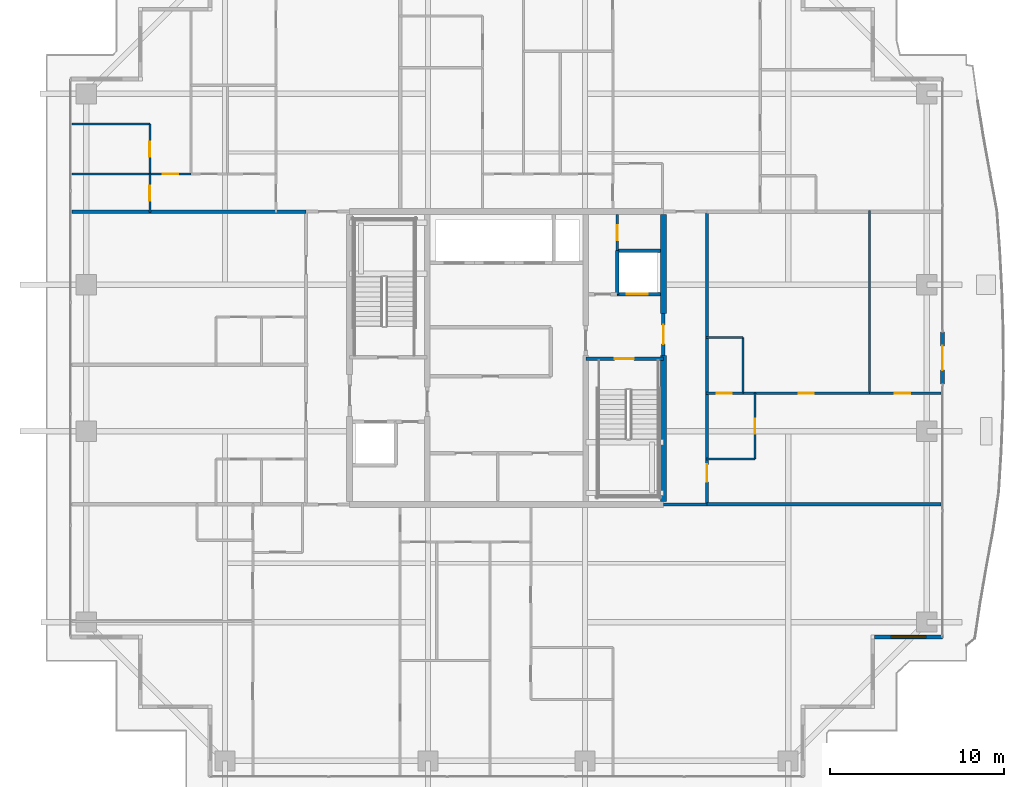
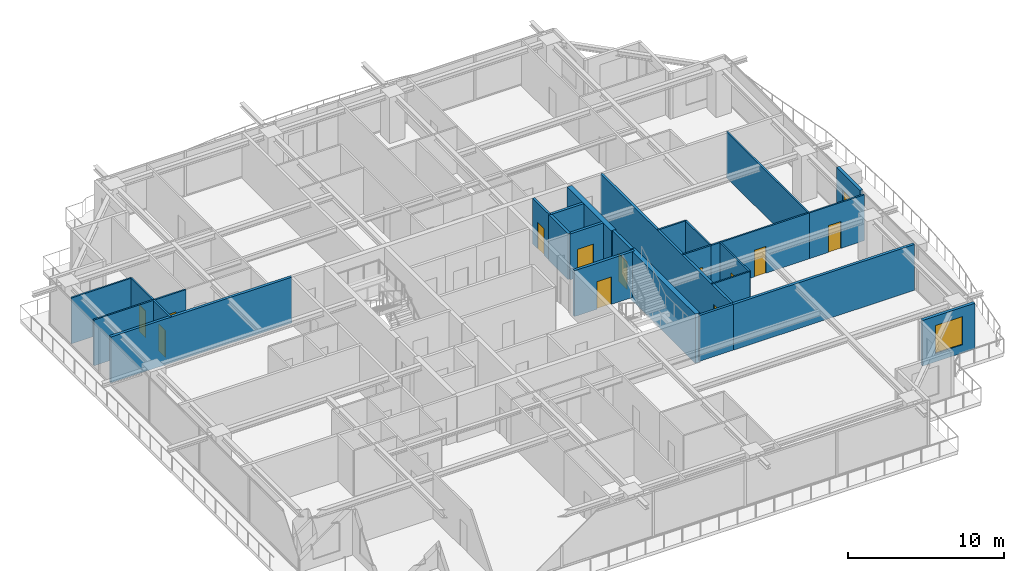
# One storey, part 28 of 37: 27 walls, 13 doors, 1 window, 14 openings.
"""IFC4 building model written with IfcOpenShell, lengths in metres."""

from ifc_helpers import new_model, si_unit, direction, frame, frame_2d, origin, place, context, subcontext, project, spatial, rectangle, extrude, source, transform, mapped, material, layer, layer_set, type_object, element, fill, save


model = new_model("IFC4")

# Units and contexts
model_context = context("Model", 3, precision=1e-05, world=origin(), true_north=direction((0.0, 1.0)))
body_context = subcontext(model_context, "Body", "Model", "MODEL_VIEW")
ifc_project = project(units=[si_unit("LENGTHUNIT", "METRE"), si_unit("AREAUNIT", "SQUARE_METRE"), si_unit("VOLUMEUNIT", "CUBIC_METRE"), si_unit("PLANEANGLEUNIT", "RADIAN"), si_unit("MASSUNIT", "GRAM", prefix="KILO")], contexts=[model_context])

# Site, building, storey
site_placement = place(None, origin())
site = spatial("IfcSite", under=ifc_project, at=site_placement, CompositionType="ELEMENT")
building_placement = place(site_placement, origin())
building = spatial("IfcBuilding", under=site, at=building_placement, Name="Serunith Strait Residences", CompositionType="ELEMENT")
storey_placement = place(building_placement, frame((0.0, 0.0, 248.949951171875)))
storey = spatial("IfcBuildingStorey", under=building, at=storey_placement, Name="L62", CompositionType="ELEMENT", Elevation=248.949951171875)

# Wall, opening, window
ifc_material_1 = material(Name="Pale-Champagne Aluminium Insulated Panel", Category="aluminium")
ifc_layer_1 = layer(ifc_material_1, 0.219970703125, Name="Pale-Champagne Aluminium Insulated Panel")
ifc_layer_set_1 = layer_set([ifc_layer_1], Name="Pale-Champagne Aluminium Insulated Panel")
wall_type_1 = type_object("IfcWallType", Name="EW-ALUM-220", PredefinedType="ELEMENTEDWALL", material=ifc_layer_set_1)
wall_1_placement = place(storey_placement, frame((53.510009765625, 9.199951171875, 0.0), z_axis=(0.0, 0.0, 1.0), x_axis=(1.0, 0.0, 0.0)))
wall_1 = element("IfcWall", 1, at=wall_1_placement, inside=storey, type_object=wall_type_1, Name="L62 Girih Serrated Corner Wall 05", PredefinedType="ELEMENTEDWALL", context=body_context, shape_type="SweptSolid", body=[
    extrude(rectangle(XDim=3.889892578125, YDim=0.219970703125, at=frame_2d((1.94482421875, 0.0))), origin(), (0.0, 0.0, 1.0), 3.574951171875),
])
opening_1_placement = place(wall_1_placement, frame((0.945068359375, 0.0, 0.64990234375)))
opening_1 = element("IfcOpeningElement", 2, at=opening_1_placement, cuts=wall_1, Name="Opening W-04", PredefinedType="OPENING", context=body_context, shape_type="SweptSolid", body=[
    extrude(rectangle(XDim=2.0, YDim=2.199951171875, at=frame_2d((1.0, 1.10009765625))), frame((0.0, 0.1201171875, 0.0), z_axis=(0.0, -1.0, 0.0), x_axis=(1.0, 0.0, 0.0)), (0.0, 0.0, 1.0), 0.239990234375),
])
ifc_material_2 = material(Name="Ceramic-Fritted Operable Aluminium Window Glass", Category="aluminium")
window_type = type_object("IfcWindowType", Name="WIN-C4", PartitioningType="TRIPLE_PANEL_VERTICAL", PredefinedType="WINDOW", material=ifc_material_2)
shared_shape_1 = source(origin(), body_context, "Body", "SweptSolid", [
    extrude(rectangle(XDim=2.0, YDim=2.199951171875, at=frame_2d((1.0, 1.10009765625))), frame((0.0, 0.030029296875, 0.0), z_axis=(0.0, -1.0, 0.0), x_axis=(1.0, 0.0, 0.0)), (0.0, 0.0, 1.0), 0.06005859375),
])
window_placement = place(opening_1_placement, origin())
window = element("IfcWindow", 3, at=window_placement, inside=storey, type_object=window_type, Name="L62 Corner Operable Fritted Window 05", OverallHeight=2.199951171875, OverallWidth=2.0, PartitioningType="SINGLE_PANEL", PredefinedType="WINDOW", context=body_context, shape_type="MappedRepresentation", body=[
    mapped(shared_shape_1, transform((0.0, 0.0, 0.0), scale=1.0)),
])
fill(opening_1, window)

# Wall, opening, door
wall_2_placement = place(storey_placement, frame((57.39990234375, 23.699951171875, 0.0), z_axis=(0.0, 0.0, 1.0), x_axis=(0.0, 1.0, 0.0)))
wall_2 = element("IfcWall", 4, at=wall_2_placement, inside=storey, type_object=wall_type_1, Name="L62 E Facade Pier Wall", PredefinedType="ELEMENTEDWALL", context=body_context, shape_type="SweptSolid", body=[
    extrude(rectangle(XDim=3.0, YDim=0.219970703125, at=frame_2d((1.5, 0.0))), origin(), (0.0, 0.0, 1.0), 3.574951171875),
])
opening_2_placement = place(wall_2_placement, frame((0.800048828125, 0.0, 0.0)))
opening_2 = element("IfcOpeningElement", 5, at=opening_2_placement, cuts=wall_2, Name="Opening ED-04", PredefinedType="OPENING", context=body_context, shape_type="SweptSolid", body=[
    extrude(rectangle(XDim=1.39990234375, YDim=2.25, at=frame_2d((0.699951171875, 1.125))), frame((0.0, 0.1201171875, 0.0), z_axis=(0.0, -1.0, 0.0), x_axis=(1.0, 0.0, 0.0)), (0.0, 0.0, 1.0), 0.239990234375),
])
ifc_material_3 = material(Name="Thermally-Broken Aluminium Sliding Balcony Door", Category="aluminium")
door_type_1 = type_object("IfcDoorType", Name="ED-BALC-1400", OperationType="NOTDEFINED", PredefinedType="DOOR", material=ifc_material_3)
shared_shape_2 = source(origin(), body_context, "Body", "SweptSolid", [
    extrude(rectangle(XDim=1.39990234375, YDim=2.25, at=frame_2d((0.699951171875, 1.125))), frame((0.0, 0.02490234375, 0.0), z_axis=(0.0, -1.0, 0.0), x_axis=(1.0, 0.0, 0.0)), (0.0, 0.0, 1.0), 0.050048828125),
])
door_1_placement = place(opening_2_placement, origin())
door_1 = element("IfcDoor", 6, at=door_1_placement, inside=storey, type_object=door_type_1, Name="L62 E Vertical-Forest Balcony Door", OperationType="SLIDING_TO_LEFT", OverallHeight=2.25, OverallWidth=1.39990234375, PredefinedType="DOOR", context=body_context, shape_type="MappedRepresentation", body=[
    mapped(shared_shape_2, transform((0.0, 0.0, 0.0), scale=1.0)),
])
fill(opening_2, door_1)

ifc_material_4 = material(Name="Fire-rated masonry service closet wall", Category="masonry")
ifc_layer_2 = layer(ifc_material_4, 0.14990234375, Name="Fire-rated masonry service closet wall")
ifc_layer_set_2 = layer_set([ifc_layer_2], Name="Fire-rated masonry service closet wall")
wall_type_2 = type_object("IfcWallType", Name="IW-BOH-150", PredefinedType="PARTITIONING", material=ifc_layer_set_2)
wall_3_placement = place(storey_placement, frame((38.75, 31.35205078125, 0.0), z_axis=(0.0, 0.0, 1.0), x_axis=(0.0, 1.0, 0.0)))
wall_3 = element("IfcWall", 7, at=wall_3_placement, inside=storey, type_object=wall_type_2, Name="L62 Partition Wall 011", PredefinedType="PARTITIONING", context=body_context, shape_type="SweptSolid", body=[
    extrude(rectangle(XDim=2.072998046875, YDim=0.14990234375, at=frame_2d((1.03662109375, 0.0))), origin(), (0.0, 0.0, 1.0), 3.590087890625),
])
opening_3_placement = place(wall_3_placement, frame((0.611083984375, 0.0, 0.0)))
opening_3 = element("IfcOpeningElement", 8, at=opening_3_placement, cuts=wall_3, Name="Opening FD-850", PredefinedType="OPENING", context=body_context, shape_type="SweptSolid", body=[
    extrude(rectangle(XDim=0.85009765625, YDim=2.10009765625, at=frame_2d((0.425048828125, 1.050048828125))), frame((0.0, 0.0849609375, 0.0), z_axis=(0.0, -1.0, 0.0), x_axis=(1.0, 0.0, 0.0)), (0.0, 0.0, 1.0), 0.169921875),
])
ifc_material_5 = material(Name="Powder-coated steel service closet door", Category="steel")
door_type_2 = type_object("IfcDoorType", Name="FD-BOH-850", OperationType="NOTDEFINED", PredefinedType="DOOR", material=ifc_material_5)
shared_shape_3 = source(origin(), body_context, "Body", "SweptSolid", [
    extrude(rectangle(XDim=0.85009765625, YDim=2.10009765625, at=frame_2d((0.425048828125, 1.050048828125))), frame((0.0, 0.02490234375, 0.0), z_axis=(0.0, -1.0, 0.0), x_axis=(1.0, 0.0, 0.0)), (0.0, 0.0, 1.0), 0.050048828125),
])
door_2_placement = place(opening_3_placement, origin())
door_2 = element("IfcDoor", 9, at=door_2_placement, inside=storey, type_object=door_type_2, Name="L62 ELV Data Closet Door", OperationType="SINGLE_SWING_LEFT", OverallHeight=2.10009765625, OverallWidth=0.85009765625, PredefinedType="DOOR", context=body_context, shape_type="MappedRepresentation", body=[
    mapped(shared_shape_3, transform((0.0, 0.0, 0.0), scale=1.0)),
])
fill(opening_3, door_2)

# Wall
ifc_material_6 = material(Name="Fire-rated acoustic gypsum partition")
ifc_layer_3 = layer(ifc_material_6, 0.179931640625, Name="Fire-rated acoustic gypsum partition")
ifc_layer_set_3 = layer_set([ifc_layer_3], Name="Fire-rated acoustic gypsum partition")
wall_type_3 = type_object("IfcWallType", Name="IW-CORR-180", PredefinedType="PARTITIONING", material=ifc_layer_set_3)
wall_4_placement = place(storey_placement, frame((41.402099609375, 16.800048828125, 0.0), z_axis=(0.0, 0.0, 1.0), x_axis=(1.0, 0.0, 0.0)))
element("IfcWall", 10, at=wall_4_placement, inside=storey, type_object=wall_type_3, Name="L62 Partition Wall 027", PredefinedType="PARTITIONING", context=body_context, shape_type="SweptSolid", body=[
    extrude(rectangle(XDim=2.495849609375, YDim=0.179931640625, at=frame_2d((1.248046875, 0.0))), origin(), (0.0, 0.0, 1.0), 3.590087890625),
])

# Wall, opening, door
wall_5_placement = place(storey_placement, frame((43.89990234375, 16.800048828125, 0.0), z_axis=(0.0, 0.0, 1.0), x_axis=(0.0, 1.0, 0.0)))
wall_5 = element("IfcWall", 11, at=wall_5_placement, inside=storey, type_object=wall_type_3, Name="L62 Partition Wall 029", PredefinedType="PARTITIONING", context=body_context, shape_type="SweptSolid", body=[
    extrude(rectangle(XDim=16.800048828125, YDim=0.179931640625, at=frame_2d((8.39990234375, 0.0))), origin(), (0.0, 0.0, 1.0), 3.590087890625),
])
opening_4_placement = place(wall_5_placement, frame((1.300048828125, 0.0, 0.0)))
opening_4 = element("IfcOpeningElement", 12, at=opening_4_placement, cuts=wall_5, Name="Opening D-APT1000", PredefinedType="OPENING", context=body_context, shape_type="SweptSolid", body=[
    extrude(rectangle(XDim=1.0, YDim=2.14990234375, at=frame_2d((0.5, 1.074951171875))), frame((0.0, 0.10009765625, 0.0), z_axis=(0.0, -1.0, 0.0), x_axis=(1.0, 0.0, 0.0)), (0.0, 0.0, 1.0), 0.199951171875),
])
ifc_material_7 = material(Name="Solid timber engineered fire door", Category="wood")
door_type_3 = type_object("IfcDoorType", Name="ID-APT-1000", OperationType="NOTDEFINED", PredefinedType="DOOR", material=ifc_material_7)
shared_shape_4 = source(origin(), body_context, "Body", "SweptSolid", [
    extrude(rectangle(XDim=1.0, YDim=2.14990234375, at=frame_2d((0.5, 1.074951171875))), frame((0.0, 0.02490234375, 0.0), z_axis=(0.0, -1.0, 0.0), x_axis=(1.0, 0.0, 0.0)), (0.0, 0.0, 1.0), 0.050048828125),
])
door_3_placement = place(opening_4_placement, origin())
door_3 = element("IfcDoor", 13, at=door_3_placement, inside=storey, type_object=door_type_3, Name="L62 Unit 06 Entrance Door", OperationType="SINGLE_SWING_RIGHT", OverallHeight=2.14990234375, OverallWidth=1.0, PredefinedType="DOOR", context=body_context, shape_type="MappedRepresentation", body=[
    mapped(shared_shape_4, transform((0.0, 0.0, 0.0), scale=1.0)),
])
fill(opening_4, door_3)

ifc_material_8 = material(Name="Lightweight steel-stud gypsum partition", Category="steel")
ifc_layer_4 = layer(ifc_material_8, 0.1201171875, Name="Lightweight steel-stud gypsum partition")
ifc_layer_set_4 = layer_set([ifc_layer_4], Name="Lightweight steel-stud gypsum partition")
wall_type_4 = type_object("IfcWallType", Name="IW-PART-120", PredefinedType="PARTITIONING", material=ifc_layer_set_4)
wall_6_placement = place(storey_placement, frame((11.949951171875, 35.75, 0.0), z_axis=(0.0, 0.0, 1.0), x_axis=(1.0, 0.0, 0.0)))
wall_6 = element("IfcWall", 14, at=wall_6_placement, inside=storey, type_object=wall_type_4, Name="L62 Partition Wall 061", PredefinedType="PARTITIONING", context=body_context, shape_type="SweptSolid", body=[
    extrude(rectangle(XDim=2.34814453125, YDim=0.1201171875, at=frame_2d((1.174072265625, 0.0))), origin(), (0.0, 0.0, 1.0), 3.590087890625),
])
opening_5_placement = place(wall_6_placement, frame((0.72412109375, 0.0, 0.0)))
opening_5 = element("IfcOpeningElement", 15, at=opening_5_placement, cuts=wall_6, Name="Opening D-RM900", PredefinedType="OPENING", context=body_context, shape_type="SweptSolid", body=[
    extrude(rectangle(XDim=0.89990234375, YDim=2.10009765625, at=frame_2d((0.449951171875, 1.050048828125))), frame((0.0, 0.070068359375, 0.0), z_axis=(0.0, -1.0, 0.0), x_axis=(1.0, 0.0, 0.0)), (0.0, 0.0, 1.0), 0.14013671875),
])
ifc_material_9 = material(Name="Engineered timber flush bedroom door", Category="wood")
door_type_4 = type_object("IfcDoorType", Name="ID-ROOM-900", OperationType="NOTDEFINED", PredefinedType="DOOR", material=ifc_material_9)
shared_shape_5 = source(origin(), body_context, "Body", "SweptSolid", [
    extrude(rectangle(XDim=0.89990234375, YDim=2.10009765625, at=frame_2d((0.449951171875, 1.050048828125))), frame((0.0, 0.02490234375, 0.0), z_axis=(0.0, -1.0, 0.0), x_axis=(1.0, 0.0, 0.0)), (0.0, 0.0, 1.0), 0.050048828125),
])
door_4_placement = place(opening_5_placement, origin())
door_4 = element("IfcDoor", 16, at=door_4_placement, inside=storey, type_object=door_type_4, Name="L62 Master Bedroom W 6202 Door", OperationType="SINGLE_SWING_RIGHT", OverallHeight=2.10009765625, OverallWidth=0.89990234375, PredefinedType="DOOR", context=body_context, shape_type="MappedRepresentation", body=[
    mapped(shared_shape_5, transform((0.0, 0.0, 0.0), scale=1.0)),
])
fill(opening_5, door_4)

# Walls
wall_7_placement = place(storey_placement, frame((7.4951171875, 38.60693359375, 0.0), z_axis=(0.0, 0.0, 1.0), x_axis=(1.0, 0.0, 0.0)))
element("IfcWall", 17, at=wall_7_placement, inside=storey, type_object=wall_type_4, Name="L62 Partition Wall 062", PredefinedType="PARTITIONING", context=body_context, shape_type="SweptSolid", body=[
    extrude(rectangle(XDim=4.454833984375, YDim=0.1201171875, at=frame_2d((2.2275390625, 0.0))), origin(), (0.0, 0.0, 1.0), 3.590087890625),
])
wall_8_placement = place(storey_placement, frame((7.4951171875, 35.75, 0.0), z_axis=(0.0, 0.0, 1.0), x_axis=(1.0, 0.0, 0.0)))
element("IfcWall", 18, at=wall_8_placement, inside=storey, type_object=wall_type_4, Name="L62 Partition Wall 063", PredefinedType="PARTITIONING", context=body_context, shape_type="SweptSolid", body=[
    extrude(rectangle(XDim=4.452880859375, YDim=0.1201171875, at=frame_2d((2.2265625, 0.0))), origin(), (0.0, 0.0, 1.0), 3.590087890625),
])

# Wall, opening, door
wall_9_placement = place(storey_placement, frame((11.949951171875, 38.60693359375, 0.0), z_axis=(0.0, 0.0, 1.0), x_axis=(0.0, -1.0, 0.0)))
wall_9 = element("IfcWall", 19, at=wall_9_placement, inside=storey, type_object=wall_type_4, Name="L62 Partition Wall 064", PredefinedType="PARTITIONING", context=body_context, shape_type="SweptSolid", body=[
    extrude(rectangle(XDim=2.85693359375, YDim=0.1201171875, at=frame_2d((1.428466796875, 0.0))), origin(), (0.0, 0.0, 1.0), 3.590087890625),
])
opening_6_placement = place(wall_9_placement, frame((1.0029296875, 0.0, 0.0)))
opening_6 = element("IfcOpeningElement", 20, at=opening_6_placement, cuts=wall_9, Name="Opening D-BTH850", PredefinedType="OPENING", context=body_context, shape_type="SweptSolid", body=[
    extrude(rectangle(XDim=0.85009765625, YDim=2.10009765625, at=frame_2d((0.425048828125, 1.050048828125))), frame((0.0, 0.070068359375, 0.0), z_axis=(0.0, -1.0, 0.0), x_axis=(1.0, 0.0, 0.0)), (0.0, 0.0, 1.0), 0.14013671875),
])
ifc_material_10 = material(Name="Moisture-resistant timber bathroom door", Category="wood")
door_type_5 = type_object("IfcDoorType", Name="ID-BATH-850", OperationType="NOTDEFINED", PredefinedType="DOOR", material=ifc_material_10)
door_5_placement = place(opening_6_placement, origin())
door_5 = element("IfcDoor", 21, at=door_5_placement, inside=storey, type_object=door_type_5, Name="L62 En-suite Bathroom W 6202 Door", OperationType="SINGLE_SWING_LEFT", OverallHeight=2.10009765625, OverallWidth=0.85009765625, PredefinedType="DOOR", context=body_context, shape_type="MappedRepresentation", body=[
    mapped(shared_shape_3, transform((0.0, 0.0, 0.0), scale=1.0)),
])
fill(opening_6, door_5)

wall_10_placement = place(storey_placement, frame((11.949951171875, 35.748046875, 0.0), z_axis=(0.0, 0.0, 1.0), x_axis=(0.0, -1.0, 0.0)))
wall_10 = element("IfcWall", 22, at=wall_10_placement, inside=storey, type_object=wall_type_4, Name="L62 Partition Wall 065", PredefinedType="PARTITIONING", context=body_context, shape_type="SweptSolid", body=[
    extrude(rectangle(XDim=2.2080078125, YDim=0.1201171875, at=frame_2d((1.10400390625, 0.0))), origin(), (0.0, 0.0, 1.0), 3.590087890625),
])
opening_7_placement = place(wall_10_placement, frame((0.678955078125, 0.0, 0.0)))
opening_7 = element("IfcOpeningElement", 23, at=opening_7_placement, cuts=wall_10, Name="Opening D-RM850", PredefinedType="OPENING", context=body_context, shape_type="SweptSolid", body=[
    extrude(rectangle(XDim=0.85009765625, YDim=2.10009765625, at=frame_2d((0.425048828125, 1.050048828125))), frame((0.0, 0.070068359375, 0.0), z_axis=(0.0, -1.0, 0.0), x_axis=(1.0, 0.0, 0.0)), (0.0, 0.0, 1.0), 0.14013671875),
])
ifc_material_11 = material(Name="Engineered timber flush study and kitchen door", Category="wood")
door_type_6 = type_object("IfcDoorType", Name="ID-ROOM-850", OperationType="NOTDEFINED", PredefinedType="DOOR", material=ifc_material_11)
door_6_placement = place(opening_7_placement, origin())
door_6 = element("IfcDoor", 24, at=door_6_placement, inside=storey, type_object=door_type_6, Name="L62 Wardrobe W 6202 Door", OperationType="SINGLE_SWING_RIGHT", OverallHeight=2.10009765625, OverallWidth=0.85009765625, PredefinedType="DOOR", context=body_context, shape_type="MappedRepresentation", body=[
    mapped(shared_shape_3, transform((0.0, 0.0, 0.0), scale=1.0)),
])
fill(opening_7, door_6)

wall_11_placement = place(storey_placement, frame((46.64990234375, 19.39990234375, 0.0), z_axis=(0.0, 0.0, 1.0), x_axis=(0.0, 1.0, 0.0)))
wall_11 = element("IfcWall", 25, at=wall_11_placement, inside=storey, type_object=wall_type_4, Name="L62 Partition Wall 096", PredefinedType="PARTITIONING", context=body_context, shape_type="SweptSolid", body=[
    extrude(rectangle(XDim=3.780029296875, YDim=0.1201171875, at=frame_2d((1.89013671875, 0.0))), origin(), (0.0, 0.0, 1.0), 3.590087890625),
])
opening_8_placement = place(wall_11_placement, frame((1.465087890625, 0.0, 0.0)))
opening_8 = element("IfcOpeningElement", 26, at=opening_8_placement, cuts=wall_11, Name="Opening D-RM850", PredefinedType="OPENING", context=body_context, shape_type="SweptSolid", body=[
    extrude(rectangle(XDim=0.85009765625, YDim=2.10009765625, at=frame_2d((0.425048828125, 1.050048828125))), frame((0.0, 0.070068359375, 0.0), z_axis=(0.0, -1.0, 0.0), x_axis=(1.0, 0.0, 0.0)), (0.0, 0.0, 1.0), 0.14013671875),
])
door_7_placement = place(opening_8_placement, origin())
door_7 = element("IfcDoor", 27, at=door_7_placement, inside=storey, type_object=door_type_6, Name="L62 Kitchen 6206 Door", OperationType="SINGLE_SWING_RIGHT", OverallHeight=2.10009765625, OverallWidth=0.85009765625, PredefinedType="DOOR", context=body_context, shape_type="MappedRepresentation", body=[
    mapped(shared_shape_3, transform((0.0, 0.0, 0.0), scale=1.0)),
])
fill(opening_8, door_7)

# Wall
wall_12_placement = place(storey_placement, frame((46.64990234375, 19.39990234375, 0.0), z_axis=(0.0, 0.0, 1.0), x_axis=(-1.0, 0.0, 0.0)))
element("IfcWall", 28, at=wall_12_placement, inside=storey, type_object=wall_type_4, Name="L62 Partition Wall 097", PredefinedType="PARTITIONING", context=body_context, shape_type="SweptSolid", body=[
    extrude(rectangle(XDim=2.809814453125, YDim=0.1201171875, at=frame_2d((1.40478515625, 0.0))), origin(), (0.0, 0.0, 1.0), 3.590087890625),
])

# Wall, opening, door
wall_13_placement = place(storey_placement, frame((57.304931640625, 23.179931640625, 0.0), z_axis=(0.0, 0.0, 1.0), x_axis=(-1.0, 0.0, 0.0)))
wall_13 = element("IfcWall", 29, at=wall_13_placement, inside=storey, type_object=wall_type_4, Name="L62 Partition Wall 098", PredefinedType="PARTITIONING", context=body_context, shape_type="SweptSolid", body=[
    extrude(rectangle(XDim=4.0888671875, YDim=0.1201171875, at=frame_2d((2.04443359375, 0.0))), origin(), (0.0, 0.0, 1.0), 3.590087890625),
])
opening_9_placement = place(wall_13_placement, frame((1.75390625, 0.0, 0.0)))
opening_9 = element("IfcOpeningElement", 30, at=opening_9_placement, cuts=wall_13, Name="Opening D-RM900", PredefinedType="OPENING", context=body_context, shape_type="SweptSolid", body=[
    extrude(rectangle(XDim=0.89990234375, YDim=2.10009765625, at=frame_2d((0.449951171875, 1.050048828125))), frame((0.0, 0.070068359375, 0.0), z_axis=(0.0, -1.0, 0.0), x_axis=(1.0, 0.0, 0.0)), (0.0, 0.0, 1.0), 0.14013671875),
])
door_8_placement = place(opening_9_placement, origin())
door_8 = element("IfcDoor", 31, at=door_8_placement, inside=storey, type_object=door_type_4, Name="L62 Master Bedroom 1 6206 Door", OperationType="SINGLE_SWING_LEFT", OverallHeight=2.10009765625, OverallWidth=0.89990234375, PredefinedType="DOOR", context=body_context, shape_type="MappedRepresentation", body=[
    mapped(shared_shape_5, transform((0.0, 0.0, 0.0), scale=1.0)),
])
fill(opening_9, door_8)

# Walls
wall_14_placement = place(storey_placement, frame((53.216064453125, 23.179931640625, 0.0), z_axis=(0.0, 0.0, 1.0), x_axis=(0.0, 1.0, 0.0)))
element("IfcWall", 32, at=wall_14_placement, inside=storey, type_object=wall_type_4, Name="L62 Partition Wall 099", PredefinedType="PARTITIONING", context=body_context, shape_type="SweptSolid", body=[
    extrude(rectangle(XDim=10.47998046875, YDim=0.1201171875, at=frame_2d((5.239990234375, 0.0))), origin(), (0.0, 0.0, 1.0), 3.590087890625),
])
wall_15_placement = place(storey_placement, frame((45.949951171875, 23.179931640625, 0.0), z_axis=(0.0, 0.0, 1.0), x_axis=(0.0, 1.0, 0.0)))
element("IfcWall", 33, at=wall_15_placement, inside=storey, type_object=wall_type_4, Name="L62 Partition Wall 100", PredefinedType="PARTITIONING", context=body_context, shape_type="SweptSolid", body=[
    extrude(rectangle(XDim=3.199951171875, YDim=0.1201171875, at=frame_2d((1.60009765625, 0.0))), origin(), (0.0, 0.0, 1.0), 3.590087890625),
])
wall_16_placement = place(storey_placement, frame((45.949951171875, 26.3798828125, 0.0), z_axis=(0.0, 0.0, 1.0), x_axis=(-1.0, 0.0, 0.0)))
element("IfcWall", 34, at=wall_16_placement, inside=storey, type_object=wall_type_4, Name="L62 Partition Wall 101", PredefinedType="PARTITIONING", context=body_context, shape_type="SweptSolid", body=[
    extrude(rectangle(XDim=2.10986328125, YDim=0.1201171875, at=frame_2d((1.054931640625, 0.0))), origin(), (0.0, 0.0, 1.0), 3.590087890625),
])

# Wall, opening, door
wall_17_placement = place(storey_placement, frame((53.214111328125, 23.179931640625, 0.0), z_axis=(0.0, 0.0, 1.0), x_axis=(-1.0, 0.0, 0.0)))
wall_17 = element("IfcWall", 35, at=wall_17_placement, inside=storey, type_object=wall_type_4, Name="L62 Partition Wall 102", PredefinedType="PARTITIONING", context=body_context, shape_type="SweptSolid", body=[
    extrude(rectangle(XDim=7.26416015625, YDim=0.1201171875, at=frame_2d((3.632080078125, 0.0))), origin(), (0.0, 0.0, 1.0), 3.590087890625),
])
opening_10_placement = place(wall_17_placement, frame((3.20703125, 0.0, 0.0)))
opening_10 = element("IfcOpeningElement", 36, at=opening_10_placement, cuts=wall_17, Name="Opening D-RM850", PredefinedType="OPENING", context=body_context, shape_type="SweptSolid", body=[
    extrude(rectangle(XDim=0.85009765625, YDim=2.10009765625, at=frame_2d((0.425048828125, 1.050048828125))), frame((0.0, 0.070068359375, 0.0), z_axis=(0.0, -1.0, 0.0), x_axis=(1.0, 0.0, 0.0)), (0.0, 0.0, 1.0), 0.14013671875),
])
door_9_placement = place(opening_10_placement, origin())
door_9 = element("IfcDoor", 37, at=door_9_placement, inside=storey, type_object=door_type_6, Name="L62 Walk-in Wardrobe 6206 Door", OperationType="SINGLE_SWING_RIGHT", OverallHeight=2.10009765625, OverallWidth=0.85009765625, PredefinedType="DOOR", context=body_context, shape_type="MappedRepresentation", body=[
    mapped(shared_shape_3, transform((0.0, 0.0, 0.0), scale=1.0)),
])
fill(opening_10, door_9)

wall_18_placement = place(storey_placement, frame((45.947998046875, 23.179931640625, 0.0), z_axis=(0.0, 0.0, 1.0), x_axis=(-1.0, 0.0, 0.0)))
wall_18 = element("IfcWall", 38, at=wall_18_placement, inside=storey, type_object=wall_type_4, Name="L62 Partition Wall 103", PredefinedType="PARTITIONING", context=body_context, shape_type="SweptSolid", body=[
    extrude(rectangle(XDim=2.10791015625, YDim=0.1201171875, at=frame_2d((1.053955078125, 0.0))), origin(), (0.0, 0.0, 1.0), 3.590087890625),
])
opening_11_placement = place(wall_18_placement, frame((0.62890625, 0.0, 0.0)))
opening_11 = element("IfcOpeningElement", 39, at=opening_11_placement, cuts=wall_18, Name="Opening D-BTH850", PredefinedType="OPENING", context=body_context, shape_type="SweptSolid", body=[
    extrude(rectangle(XDim=0.85009765625, YDim=2.10009765625, at=frame_2d((0.425048828125, 1.050048828125))), frame((0.0, 0.070068359375, 0.0), z_axis=(0.0, -1.0, 0.0), x_axis=(1.0, 0.0, 0.0)), (0.0, 0.0, 1.0), 0.14013671875),
])
door_10_placement = place(opening_11_placement, origin())
door_10 = element("IfcDoor", 40, at=door_10_placement, inside=storey, type_object=door_type_5, Name="L62 Bathroom 6206 Door", OperationType="SINGLE_SWING_LEFT", OverallHeight=2.10009765625, OverallWidth=0.85009765625, PredefinedType="DOOR", context=body_context, shape_type="MappedRepresentation", body=[
    mapped(shared_shape_3, transform((0.0, 0.0, 0.0), scale=1.0)),
])
fill(opening_11, door_10)

# Walls
ifc_material_12 = material(Name="Twin-stud acoustic gypsum board partition")
ifc_layer_5 = layer(ifc_material_12, 0.199951171875, Name="Twin-stud acoustic gypsum board partition")
ifc_layer_set_5 = layer_set([ifc_layer_5], Name="Twin-stud acoustic gypsum board partition")
wall_type_5 = type_object("IfcWallType", Name="IW-PARTY-200", PredefinedType="PARTITIONING", material=ifc_layer_set_5)
wall_19_placement = place(storey_placement, frame((43.89990234375, 16.800048828125, 0.0), z_axis=(0.0, 0.0, 1.0), x_axis=(1.0, 0.0, 0.0)))
element("IfcWall", 41, at=wall_19_placement, inside=storey, type_object=wall_type_5, Name="L62 Partition Wall 021", PredefinedType="PARTITIONING", context=body_context, shape_type="SweptSolid", body=[
    extrude(rectangle(XDim=13.418212890625, YDim=0.199951171875, at=frame_2d((6.708984375, 0.0))), origin(), (0.0, 0.0, 1.0), 3.590087890625),
])
wall_20_placement = place(storey_placement, frame((7.48193359375, 33.60009765625, 0.0), z_axis=(0.0, 0.0, 1.0), x_axis=(1.0, 0.0, 0.0)))
element("IfcWall", 42, at=wall_20_placement, inside=storey, type_object=wall_type_5, Name="L62 Partition Wall 022", PredefinedType="PARTITIONING", context=body_context, shape_type="SweptSolid", body=[
    extrude(rectangle(XDim=13.41796875, YDim=0.199951171875, at=frame_2d((6.708984375, 0.0))), origin(), (0.0, 0.0, 1.0), 3.590087890625),
])

# Wall, opening, door
ifc_material_13 = material(Name="Autoclaved aerated concrete blockwork", Category="masonry")
ifc_layer_6 = layer(ifc_material_13, 0.199951171875, Name="Autoclaved aerated concrete blockwork")
ifc_layer_set_6 = layer_set([ifc_layer_6], Name="Autoclaved aerated concrete blockwork")
wall_type_6 = type_object("IfcWallType", Name="IW-SHAFT-200", PredefinedType="STANDARD", material=ifc_layer_set_6)
wall_21_placement = place(storey_placement, frame((36.949951171875, 25.14990234375, 0.0), z_axis=(0.0, 0.0, 1.0), x_axis=(1.0, 0.0, 0.0)))
wall_21 = element("IfcWall", 43, at=wall_21_placement, inside=storey, type_object=wall_type_6, Name="L62 ST-2 North Shaft Wall", PredefinedType="STANDARD", context=body_context, shape_type="SweptSolid", body=[
    extrude(rectangle(XDim=4.449951171875, YDim=0.199951171875, at=frame_2d((2.22509765625, 0.0))), origin(), (0.0, 0.0, 1.0), 3.590087890625),
])
opening_12_placement = place(wall_21_placement, frame((1.64990234375, 0.0, 0.0)))
opening_12 = element("IfcOpeningElement", 44, at=opening_12_placement, cuts=wall_21, Name="Opening FD-1100", PredefinedType="OPENING", context=body_context, shape_type="SweptSolid", body=[
    extrude(rectangle(XDim=1.10009765625, YDim=2.14990234375, at=frame_2d((0.550048828125, 1.074951171875))), frame((0.0, 0.10986328125, 0.0), z_axis=(0.0, -1.0, 0.0), x_axis=(1.0, 0.0, 0.0)), (0.0, 0.0, 1.0), 0.219970703125),
])
ifc_material_14 = material(Name="Galvanised steel fire door leaf", Category="steel")
door_type_7 = type_object("IfcDoorType", Name="FD-STAIR-1100", OperationType="NOTDEFINED", PredefinedType="DOOR", material=ifc_material_14)
shared_shape_6 = source(origin(), body_context, "Body", "SweptSolid", [
    extrude(rectangle(XDim=1.10009765625, YDim=2.14990234375, at=frame_2d((0.550048828125, 1.074951171875))), frame((0.0, 0.02490234375, 0.0), z_axis=(0.0, -1.0, 0.0), x_axis=(1.0, 0.0, 0.0)), (0.0, 0.0, 1.0), 0.050048828125),
])
door_11_placement = place(opening_12_placement, origin())
door_11 = element("IfcDoor", 45, at=door_11_placement, inside=storey, type_object=door_type_7, Name="L62 ST-2 Escape Stair Door", OperationType="SINGLE_SWING_LEFT", OverallHeight=2.14990234375, OverallWidth=1.10009765625, PredefinedType="DOOR", context=body_context, shape_type="MappedRepresentation", body=[
    mapped(shared_shape_6, transform((0.0, 0.0, 0.0), scale=1.0)),
])
fill(opening_12, door_11)

wall_22_placement = place(storey_placement, frame((38.75, 28.85009765625, 0.0), z_axis=(0.0, 0.0, 1.0), x_axis=(1.0, 0.0, 0.0)))
wall_22 = element("IfcWall", 46, at=wall_22_placement, inside=storey, type_object=wall_type_6, Name="L62 FL-2 South Shaft Wall", PredefinedType="STANDARD", context=body_context, shape_type="SweptSolid", body=[
    extrude(rectangle(XDim=2.47509765625, YDim=0.199951171875, at=frame_2d((1.237548828125, 0.0))), origin(), (0.0, 0.0, 1.0), 3.590087890625),
])
opening_13_placement = place(wall_22_placement, frame((0.550048828125, 0.0, 0.0)))
opening_13 = element("IfcOpeningElement", 47, at=opening_13_placement, cuts=wall_22, Name="Opening LD-FF1200", PredefinedType="OPENING", context=body_context, shape_type="SweptSolid", body=[
    extrude(rectangle(XDim=1.199951171875, YDim=2.199951171875, at=frame_2d((0.60009765625, 1.10009765625))), frame((0.0, 0.10986328125, 0.0), z_axis=(0.0, -1.0, 0.0), x_axis=(1.0, 0.0, 0.0)), (0.0, 0.0, 1.0), 0.219970703125),
])
ifc_material_15 = material(Name="Brushed stainless steel landing door", Category="steel")
door_type_8 = type_object("IfcDoorType", Name="LD-FF-1200", OperationType="DOUBLE_DOOR_SLIDING", PredefinedType="DOOR", material=ifc_material_15)
shared_shape_7 = source(origin(), body_context, "Body", "SweptSolid", [
    extrude(rectangle(XDim=1.199951171875, YDim=2.199951171875, at=frame_2d((0.60009765625, 1.10009765625))), frame((0.0, 0.02490234375, 0.0), z_axis=(0.0, -1.0, 0.0), x_axis=(1.0, 0.0, 0.0)), (0.0, 0.0, 1.0), 0.050048828125),
])
door_12_placement = place(opening_13_placement, origin())
door_12 = element("IfcDoor", 48, at=door_12_placement, inside=storey, type_object=door_type_8, Name="L62 FL-2 Landing Door", OperationType="DOUBLE_DOOR_SLIDING", OverallHeight=2.199951171875, OverallWidth=1.199951171875, PredefinedType="DOOR", context=body_context, shape_type="MappedRepresentation", body=[
    mapped(shared_shape_7, transform((0.0, 0.0, 0.0), scale=1.0)),
])
fill(opening_13, door_12)

# Walls
wall_23_placement = place(storey_placement, frame((38.75, 28.85009765625, 0.0), z_axis=(0.0, 0.0, 1.0), x_axis=(0.0, 1.0, 0.0)))
element("IfcWall", 49, at=wall_23_placement, inside=storey, type_object=wall_type_6, Name="L62 Partition Wall 004", PredefinedType="STANDARD", context=body_context, shape_type="SweptSolid", body=[
    extrude(rectangle(XDim=2.5, YDim=0.199951171875, at=frame_2d((1.25, 0.0))), origin(), (0.0, 0.0, 1.0), 3.590087890625),
])
wall_24_placement = place(storey_placement, frame((38.75, 31.35009765625, 0.0), z_axis=(0.0, 0.0, 1.0), x_axis=(1.0, 0.0, 0.0)))
element("IfcWall", 50, at=wall_24_placement, inside=storey, type_object=wall_type_6, Name="L62 Partition Wall 005", PredefinedType="STANDARD", context=body_context, shape_type="SweptSolid", body=[
    extrude(rectangle(XDim=2.47509765625, YDim=0.199951171875, at=frame_2d((1.237548828125, 0.0))), origin(), (0.0, 0.0, 1.0), 3.590087890625),
])

# Wall, opening, door
wall_25_placement = place(storey_placement, frame((41.39990234375, 25.35205078125, 0.0), z_axis=(0.0, 0.0, 1.0), x_axis=(0.0, 1.0, 0.0)))
wall_25 = element("IfcWall", 51, at=wall_25_placement, inside=storey, type_object=wall_type_6, Name="L62 Partition Wall 008", PredefinedType="STANDARD", context=body_context, shape_type="SweptSolid", body=[
    extrude(rectangle(XDim=2.39599609375, YDim=0.199951171875, at=frame_2d((1.197998046875, 0.0))), origin(), (0.0, 0.0, 1.0), 3.590087890625),
])
opening_14_placement = place(wall_25_placement, frame((0.64794921875, 0.0, 0.0)))
opening_14 = element("IfcOpeningElement", 52, at=opening_14_placement, cuts=wall_25, Name="Opening FD-FFL", PredefinedType="OPENING", context=body_context, shape_type="SweptSolid", body=[
    extrude(rectangle(XDim=1.10009765625, YDim=2.14990234375, at=frame_2d((0.550048828125, 1.074951171875))), frame((0.0, 0.10986328125, 0.0), z_axis=(0.0, -1.0, 0.0), x_axis=(1.0, 0.0, 0.0)), (0.0, 0.0, 1.0), 0.219970703125),
])
ifc_material_16 = material(Name="Glazed steel smoke-lobby fire door", Category="steel")
door_type_9 = type_object("IfcDoorType", Name="FD-FFL-1100", OperationType="NOTDEFINED", PredefinedType="DOOR", material=ifc_material_16)
door_13_placement = place(opening_14_placement, origin())
door_13 = element("IfcDoor", 53, at=door_13_placement, inside=storey, type_object=door_type_9, Name="L62 FFL-2 Corridor Fire Door", OperationType="SINGLE_SWING_RIGHT", OverallHeight=2.14990234375, OverallWidth=1.10009765625, PredefinedType="DOOR", context=body_context, shape_type="MappedRepresentation", body=[
    mapped(shared_shape_6, transform((0.0, 0.0, 0.0), scale=1.0)),
])
fill(opening_14, door_13)

# Walls
ifc_material_17 = material(Name="Concrete C60/75", Category="concrete")
ifc_layer_7 = layer(ifc_material_17, 0.35009765625, Name="Concrete C60/75")
ifc_layer_set_7 = layer_set([ifc_layer_7], Name="Concrete C60/75")
wall_type_7 = type_object("IfcWallType", Name="SW-350-C60", PredefinedType="SHEAR", material=ifc_layer_set_7)
wall_26_placement = place(storey_placement, frame((41.39990234375, 16.97509765625, -0.260009765625), z_axis=(0.0, 0.0, 1.0), x_axis=(0.0, 1.0, 0.0)))
element("IfcWall", 54, at=wall_26_placement, inside=storey, type_object=wall_type_7, Name="L62 Core East Shear Wall South Pier", PredefinedType="SHEAR", context=body_context, shape_type="SweptSolid", body=[
    extrude(rectangle(XDim=8.375, YDim=0.35009765625, at=frame_2d((4.1875, 0.0))), origin(), (0.0, 0.0, 1.0), 3.84814453125),
])
wall_27_placement = place(storey_placement, frame((41.39990234375, 27.75, -0.260009765625), z_axis=(0.0, 0.0, 1.0), x_axis=(0.0, 1.0, 0.0)))
element("IfcWall", 55, at=wall_27_placement, inside=storey, type_object=wall_type_7, Name="L62 Core East Shear Wall North Pier", PredefinedType="SHEAR", context=body_context, shape_type="SweptSolid", body=[
    extrude(rectangle(XDim=5.675048828125, YDim=0.35009765625, at=frame_2d((2.83740234375, 0.0))), origin(), (0.0, 0.0, 1.0), 3.84814453125),
])

save(model, "model.ifc")
